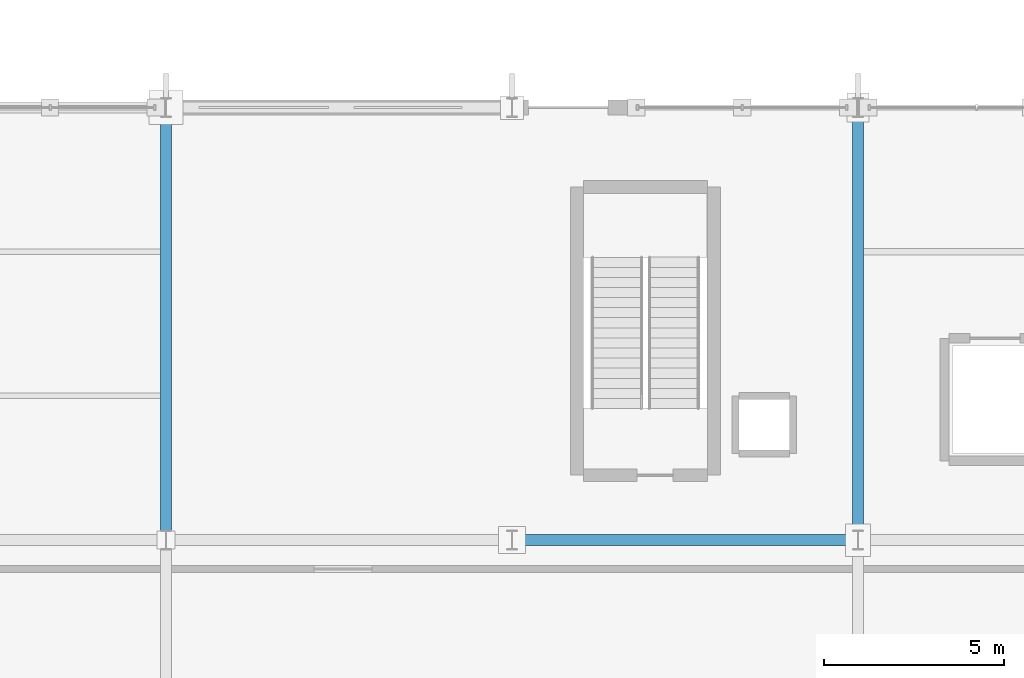
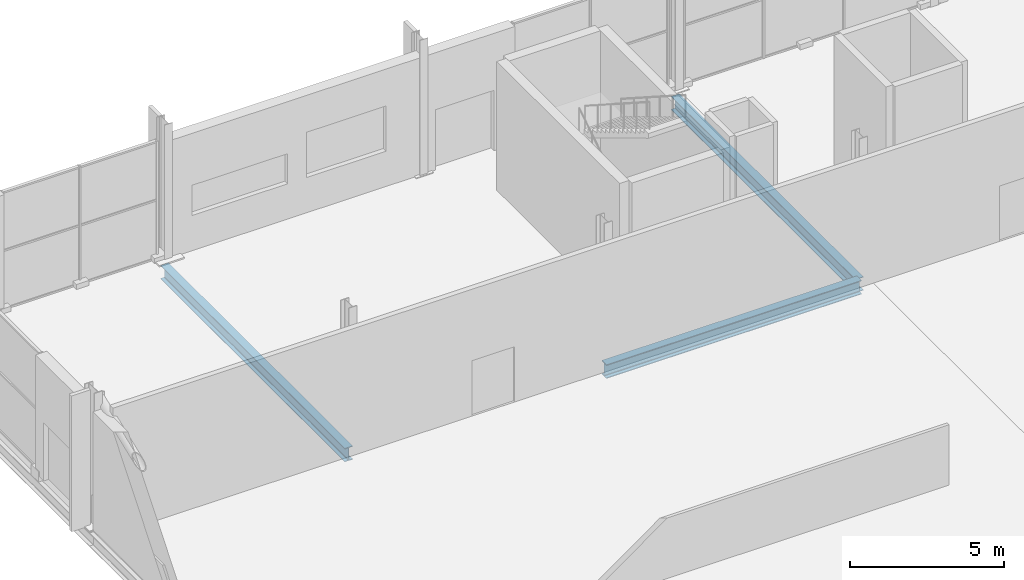
# One storey, part 105 of 196: 3 beams.
"""IFC4 building model written with IfcOpenShell, lengths in metres."""

import ifcopenshell
import ifcopenshell.guid

model = None  # the IFC model being written
_history = None  # IfcOwnerHistory: only IFC2X3 demands one
_inside = {}  # id of a spatial element -> (the spatial element, [elements in it])
_under = {}  # id of a project, library or spatial element -> (it, [spatial elements below it])
_declared = {}  # id of a project -> (the project, [libraries it declares])
_typed = {}  # id of a type object -> (the type object, [elements of that type])
_made_of = {}  # id of a material, layer set ... -> (it, [elements and type objects made of it])


def new_model(schema):
    """Start an empty IFC model of exactly this schema.

    Asked for "IFC4X3", IfcOpenShell would pick the latest addendum, in which some entities
    have other attributes; the version numbers below select the first issue.
    IFC2X3 requires an IfcOwnerHistory on every rooted entity: one is made here for all.
    """
    global model, _history
    if schema == "IFC4X3":
        model = ifcopenshell.file(schema_version=(4, 3, 0, 0))
    else:
        model = ifcopenshell.file(schema=schema)
    _inside.clear()
    _under.clear()
    _declared.clear()
    _typed.clear()
    _made_of.clear()
    _history = None
    if model.schema == "IFC2X3":
        org = make("IfcOrganization", Name="unknown")
        user = make(
            "IfcPersonAndOrganization",
            ThePerson=make("IfcPerson", FamilyName="unknown"),
            TheOrganization=org,
        )
        app = make(
            "IfcApplication",
            ApplicationDeveloper=org,
            Version="unknown",
            ApplicationFullName="unknown",
            ApplicationIdentifier="unknown",
        )
        _history = make(
            "IfcOwnerHistory",
            OwningUser=user,
            OwningApplication=app,
            ChangeAction="ADDED",
            CreationDate=0,
        )
    return model


def make(cls, **values):
    """One entity of the class cls with the attributes given. An attribute that is None is left unset."""
    return model.create_entity(
        cls, **{name: value for name, value in values.items() if value is not None}
    )


def rooted(cls, **values):
    """An entity with a GlobalId (a new one), such as an element, a storey or a relation."""
    return make(cls, GlobalId=ifcopenshell.guid.new(), OwnerHistory=_history, **values)


def si_unit(unit_type, name, prefix=None):
    """IfcSIUnit, for example si_unit("LENGTHUNIT", "METRE", prefix="MILLI")."""
    return make("IfcSIUnit", UnitType=unit_type, Prefix=prefix, Name=name)


def assignment(units):
    """IfcUnitAssignment: the units of a project."""
    return None if units is None else make("IfcUnitAssignment", Units=units)


def point(xyz):
    """IfcCartesianPoint."""
    return None if xyz is None else make("IfcCartesianPoint", Coordinates=xyz)


def direction(xyz):
    """IfcDirection."""
    return None if xyz is None else make("IfcDirection", DirectionRatios=xyz)


def frame(location, z_axis=None, x_axis=None):
    """IfcAxis2Placement3D, a coordinate frame: its origin and axes. An axis left out is left unset."""
    return make(
        "IfcAxis2Placement3D",
        Location=point(location),
        Axis=direction(z_axis),
        RefDirection=direction(x_axis),
    )


def frame_2d(location, x_axis=None):
    """IfcAxis2Placement2D, a coordinate frame in the plane: its origin and x axis."""
    return make(
        "IfcAxis2Placement2D", Location=point(location), RefDirection=direction(x_axis)
    )


def origin():
    """The frame at (0, 0, 0) with its axes left unset."""
    return frame((0.0, 0.0, 0.0))


def origin_2d():
    """The frame at (0, 0) in the plane with its x axis left unset."""
    return frame_2d((0.0, 0.0))


def place(relative_to, where):
    """IfcLocalPlacement: puts the frame where relative to a parent placement (None: the world)."""
    return make(
        "IfcLocalPlacement", PlacementRelTo=relative_to, RelativePlacement=where
    )


def context(
    kind, dimensions, precision=None, world=None, true_north=None, identifier=None
):
    """IfcGeometricRepresentationContext, for example the 3D "Model" context."""
    return make(
        "IfcGeometricRepresentationContext",
        ContextIdentifier=identifier,
        ContextType=kind,
        CoordinateSpaceDimension=dimensions,
        Precision=precision,
        WorldCoordinateSystem=world,
        TrueNorth=true_north,
    )


def subcontext(parent, identifier, kind, view, scale=None):
    """IfcGeometricRepresentationSubContext, for example "Body" below "Model"."""
    return make(
        "IfcGeometricRepresentationSubContext",
        ContextIdentifier=identifier,
        ContextType=kind,
        ParentContext=parent,
        TargetScale=scale,
        TargetView=view,
    )


def project(units=None, contexts=None):
    """IfcProject with its units and contexts."""
    return rooted(
        "IfcProject",
        Name="project",
        RepresentationContexts=contexts,
        UnitsInContext=assignment(units),
    )


def spatial(cls, under=None, at=None, **own):
    """A site, building, storey or space (cls), placed at a placement, below another one or the project."""
    s = rooted(cls, ObjectPlacement=at, **own)
    if under is not None:
        _under.setdefault(under.id(), (under, []))[1].append(s)
    return s


def profile(cls, at=None, kind="AREA", **sizes):
    """A parametric profile (cls). Its sizes go by their IFC names, for example OverallWidth=200.0."""
    return make(cls, ProfileType=kind, Position=at, **sizes)


def i_section(**sizes):
    """IfcIShapeProfileDef."""
    return profile("IfcIShapeProfileDef", **sizes)


def extrude(swept, where, along, depth):
    """IfcExtrudedAreaSolid: the profile swept, set in the frame where, extruded along a direction by depth."""
    return make(
        "IfcExtrudedAreaSolid",
        SweptArea=swept,
        Position=where,
        ExtrudedDirection=direction(along),
        Depth=depth,
    )


def shape(context_of_items, identifier, shape_type, items):
    """IfcShapeRepresentation: the items that make up one representation, for example the "Body"."""
    return make(
        "IfcShapeRepresentation",
        ContextOfItems=context_of_items,
        RepresentationIdentifier=identifier,
        RepresentationType=shape_type,
        Items=items,
    )


def material(Name=None, Category=None):
    """IfcMaterial."""
    return make("IfcMaterial", Name=Name, Category=Category)


def material_profile(
    of_material, cross_section, Name=None, Category=None, Priority=None
):
    """IfcMaterialProfile: a cross section and its material."""
    return make(
        "IfcMaterialProfile",
        Name=Name,
        Material=of_material,
        Profile=cross_section,
        Priority=Priority,
        Category=Category,
    )


def profile_set(profiles, Name=None, composite=None):
    """IfcMaterialProfileSet."""
    return make(
        "IfcMaterialProfileSet",
        Name=Name,
        MaterialProfiles=profiles,
        CompositeProfile=composite,
    )


def made_of(thing, what):
    """Note that an element or type object is made of a material, layer set ...; save() writes the relation."""
    if what is not None:
        _made_of.setdefault(what.id(), (what, []))[1].append(thing)
    return thing


def type_object(cls, material=None, **own):
    """A type object (cls), such as IfcWallType, which elements share."""
    return made_of(rooted(cls, **own), material)


def element(
    cls,
    number,
    at=None,
    inside=None,
    cuts=None,
    type_object=None,
    material=None,
    context=None,
    identifier="Body",
    shape_type=None,
    held_by="IfcProductDefinitionShape",
    body=None,
    shapes=None,
    **own,
):
    """One element of the class cls, such as IfcWall. Its Tag is "e" and its number.

    at: its placement. inside: the storey or other place that contains it. cuts: it is an
    opening in that element (IfcRelVoidsElement). A single representation is given by context,
    identifier, shape_type and body (its items); several are given by shapes. held_by: the class
    of the entity that holds the representations. save() writes the other relations.
    """
    e = rooted(cls, Tag="e%d" % number, ObjectPlacement=at, **own)
    if body is not None:
        shapes = [shape(context, identifier, shape_type, body)]
    if shapes is not None:
        e.Representation = make(held_by, Representations=shapes)
    if inside is not None:
        _inside.setdefault(inside.id(), (inside, []))[1].append(e)
    if cuts is not None:
        rooted(
            "IfcRelVoidsElement", RelatingBuildingElement=cuts, RelatedOpeningElement=e
        )
    if type_object is not None:
        _typed.setdefault(type_object.id(), (type_object, []))[1].append(e)
    return made_of(e, material)


def aggregate(whole, parts):
    """IfcRelAggregates: a whole, such as a stair, and the parts it consists of."""
    return rooted("IfcRelAggregates", RelatingObject=whole, RelatedObjects=parts)


def save(model, path):
    """Write the relations noted so far, then the file.

    IfcRelAggregates (storeys below a building ...), IfcRelContainedInSpatialStructure (elements
    in a storey), IfcRelDefinesByType, IfcRelAssociatesMaterial and IfcRelDeclares: one each for
    every whole, place, type object, material and project.
    """
    for whole, parts in _under.values():
        aggregate(whole, parts)
    for where, things in _inside.values():
        rooted(
            "IfcRelContainedInSpatialStructure",
            RelatedElements=things,
            RelatingStructure=where,
        )
    for kind, things in _typed.values():
        rooted("IfcRelDefinesByType", RelatedObjects=things, RelatingType=kind)
    for what, things in _made_of.values():
        rooted("IfcRelAssociatesMaterial", RelatedObjects=things, RelatingMaterial=what)
    for by, libraries in _declared.values():
        rooted("IfcRelDeclares", RelatingContext=by, RelatedDefinitions=libraries)
    model.write(path)


model = new_model("IFC4")

# Units and contexts
model_context = context("Model", 3, precision=1e-05, world=origin(), true_north=direction((0.0, 1.0)))
body_context = subcontext(model_context, "Body", "Model", "MODEL_VIEW")
ifc_project = project(units=[si_unit("LENGTHUNIT", "METRE"), si_unit("AREAUNIT", "SQUARE_METRE"), si_unit("VOLUMEUNIT", "CUBIC_METRE"), si_unit("PLANEANGLEUNIT", "RADIAN"), si_unit("MASSUNIT", "GRAM", prefix="KILO")], contexts=[model_context])

# Site, building, storey
site_placement = place(None, origin())
site = spatial("IfcSite", under=ifc_project, at=site_placement, CompositionType="ELEMENT")
building_placement = place(site_placement, origin())
building = spatial("IfcBuilding", under=site, at=building_placement, Name="Merenkruunu Market Hall", CompositionType="ELEMENT")
storey_placement = place(building_placement, origin())
storey = spatial("IfcBuildingStorey", under=building, at=storey_placement, Name="L00", CompositionType="ELEMENT", Elevation=0.0)

# Beams
ifc_material = material(Name="Steel S355J2", Category="steel")
ifc_material_profile_1 = material_profile(ifc_material, i_section(OverallWidth=0.300048828125, OverallDepth=0.550048828125, WebThickness=0.014892578125, FlangeThickness=0.029052734375, FilletRadius=0.027099609375, at=origin_2d()), Name="HEB 550")
ifc_profile_set_1 = profile_set([ifc_material_profile_1], Name="Steel S355J2")
beam_type_1 = type_object("IfcBeamType", Name="Primary Floor Girder B02", PredefinedType="BEAM", material=ifc_profile_set_1)
beam_placement = place(storey_placement, frame((19.199951171875, 99.60009765625, -0.614990234375), z_axis=(1.0, 0.0, 0.0), x_axis=(0.0, 1.0, 0.0)))
element("IfcBeam", 1, at=beam_placement, inside=storey, type_object=beam_type_1, Name="BM-L00-B02-0116", PredefinedType="BEAM", context=body_context, shape_type="SweptSolid", body=[
    extrude(i_section(OverallWidth=0.300048828125, OverallDepth=0.550048828125, WebThickness=0.014892578125, FlangeThickness=0.029052734375, FilletRadius=0.027099609375, at=origin_2d()), origin(), (0.0, 0.0, 1.0), 9.60009765625),
])
ifc_material_profile_2 = material_profile(ifc_material, i_section(OverallWidth=0.300048828125, OverallDepth=0.5400390625, WebThickness=0.012451171875, FlangeThickness=0.02392578125, FilletRadius=0.027099609375, at=origin_2d()), Name="HEA 550")
ifc_profile_set_2 = profile_set([ifc_material_profile_2], Name="Steel S355J2")
beam_type_2 = type_object("IfcBeamType", Name="Primary Floor Girder B06", PredefinedType="BEAM", material=ifc_profile_set_2)
for number, where, z_axis, x_axis, name in (
    (2, (9.60009765625, 99.60009765625, -0.610107421875), (0.0, 1.0, 0.0), (-1.0, 0.0, 0.0), "BM-L00-B06-0153"),
    (3, (28.800048828125, 99.60009765625, -0.610107421875), (0.0, 1.0, 0.0), (-1.0, 0.0, 0.0), "BM-L00-B06-0166"),
):
    element("IfcBeam", number, at=place(storey_placement, frame(where, z_axis=z_axis, x_axis=x_axis)), inside=storey, type_object=beam_type_2, Name=name, PredefinedType="BEAM", context=body_context, shape_type="SweptSolid", body=[
        extrude(i_section(OverallWidth=0.300048828125, OverallDepth=0.5400390625, WebThickness=0.012451171875, FlangeThickness=0.02392578125, FilletRadius=0.027099609375, at=origin_2d()), origin(), (0.0, 0.0, 1.0), 12.0),
    ])

save(model, "model.ifc")
